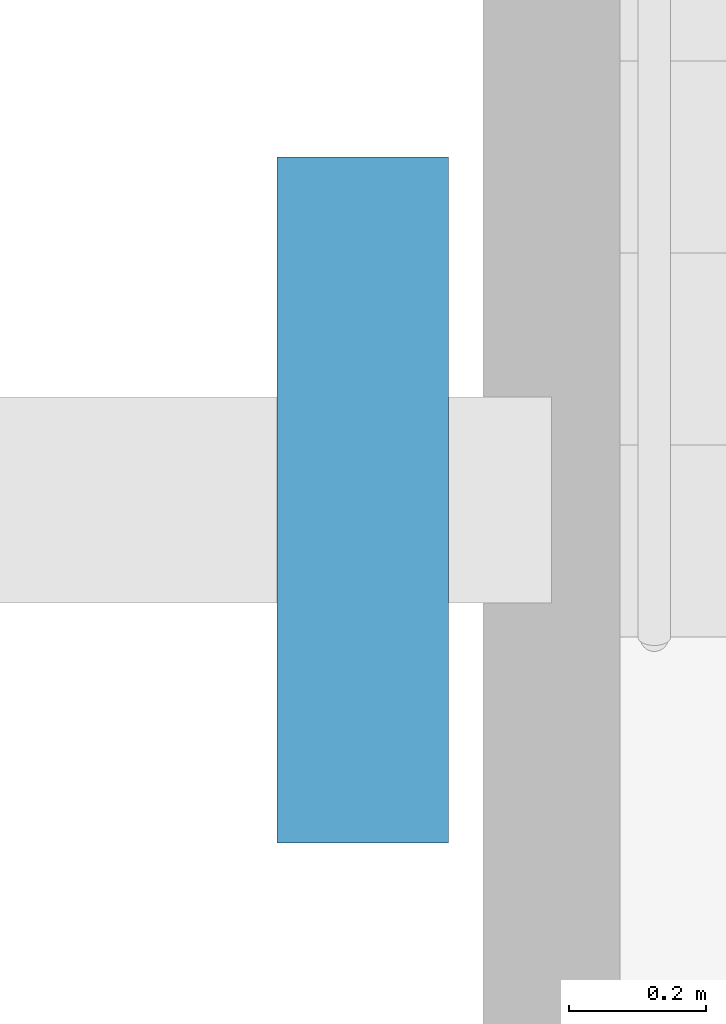
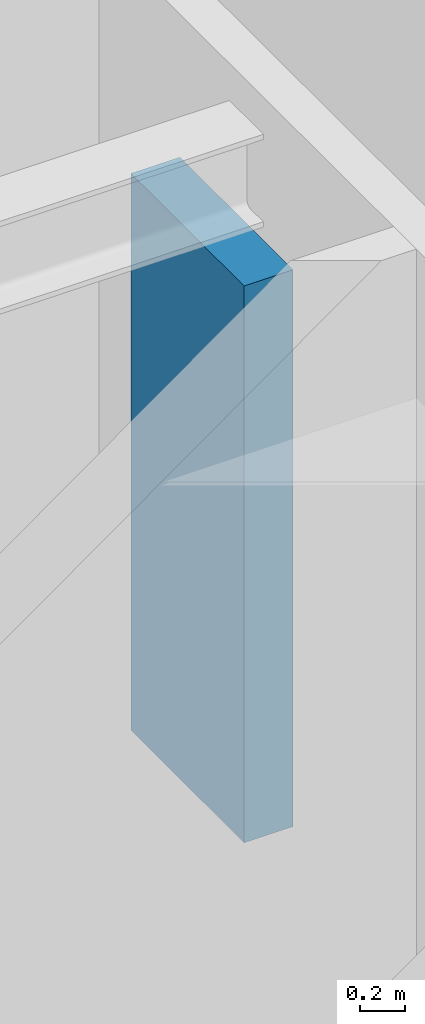
# One storey, part 14 of 16: 1 discrete accessory.
"""IFC4 building model written with IfcOpenShell, lengths in metres."""

from ifc_helpers import new_model, si_unit, direction, frame, origin, origin_2d, place, context, subcontext, project, spatial, rectangle, extrude, element, save


model = new_model("IFC4")

# Units and contexts
model_context = context("Model", 3, precision=1e-05, world=origin(), true_north=direction((0.0, 1.0)))
body_context = subcontext(model_context, "Body", "Model", "MODEL_VIEW")
ifc_project = project(units=[si_unit("LENGTHUNIT", "METRE"), si_unit("AREAUNIT", "SQUARE_METRE"), si_unit("VOLUMEUNIT", "CUBIC_METRE"), si_unit("PLANEANGLEUNIT", "RADIAN"), si_unit("MASSUNIT", "GRAM", prefix="KILO")], contexts=[model_context])

# Site, building, storey
site_placement = place(None, origin())
site = spatial("IfcSite", under=ifc_project, at=site_placement, CompositionType="ELEMENT")
building_placement = place(site_placement, origin())
building = spatial("IfcBuilding", under=site, at=building_placement, Name="Svetlomir Tower", CompositionType="ELEMENT")
storey_placement = place(building_placement, frame((0.0, 0.0, 91.5)))
storey = spatial("IfcBuildingStorey", under=building, at=storey_placement, Name="L21", CompositionType="ELEMENT", Elevation=91.5)

# Discrete accessory
discrete_accessory_placement = place(storey_placement, frame((25.824951171875, 22.5, 1.25), z_axis=(0.0, 0.0, 1.0), x_axis=(1.0, 0.0, 0.0)))
element("IfcDiscreteAccessory", 1, at=discrete_accessory_placement, inside=storey, Name="Lift SH1 counterweight", ObjectType="LIFT COUNTERWEIGHT", PredefinedType="USERDEFINED", context=body_context, shape_type="SweptSolid", body=[
    extrude(rectangle(XDim=0.25, YDim=1.0, at=origin_2d()), origin(), (0.0, 0.0, 1.0), 3.0),
])

save(model, "model.ifc")
